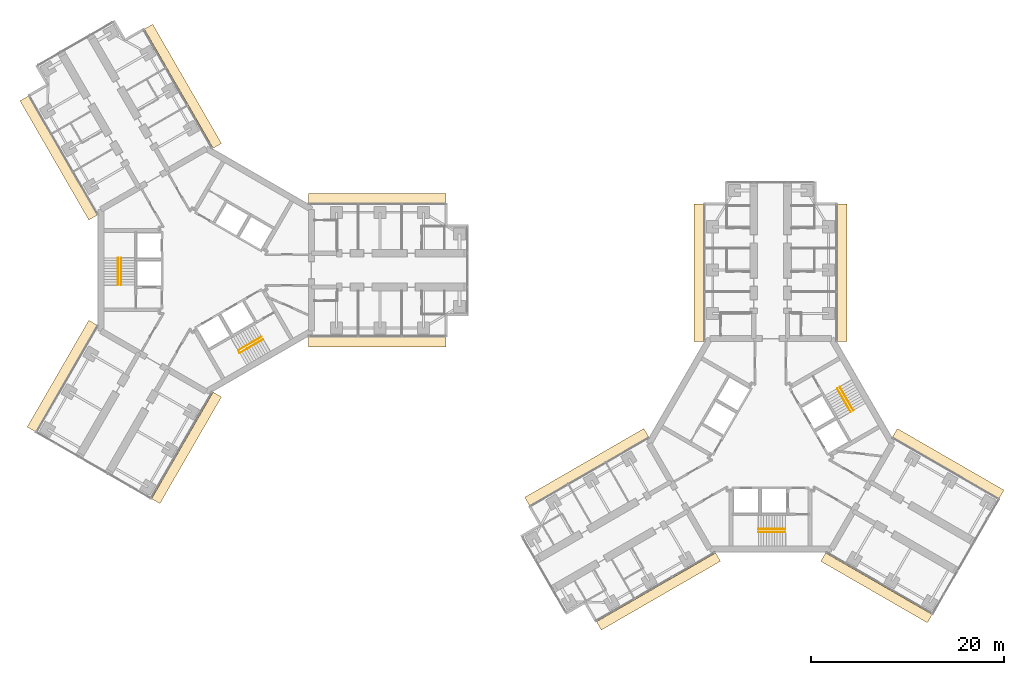
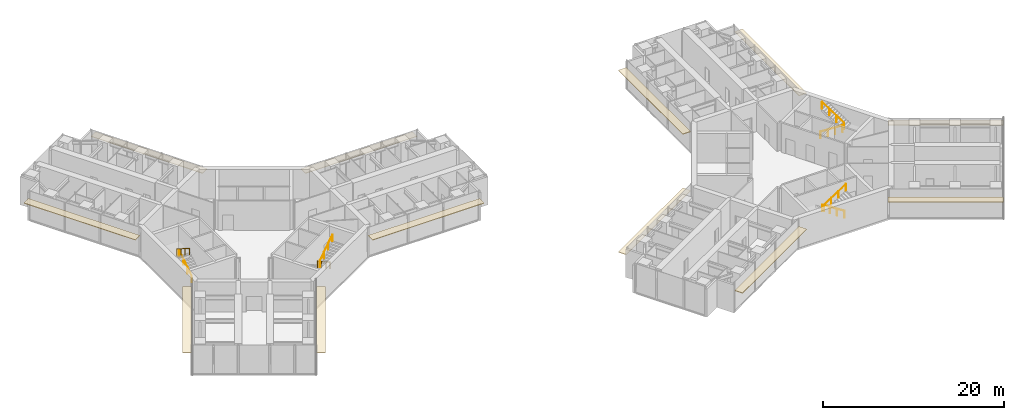
# One storey, part 23 of 23: 12 coverings, 8 railings.
"""IFC4 building model written with IfcOpenShell, lengths in metres."""

from ifc_helpers import new_model, si_unit, direction, frame, origin, origin_2d, place, context, subcontext, project, spatial, rectangle, circle, extrude, material, layer, layer_set, type_object, element, save


model = new_model("IFC4")

# Units and contexts
model_context = context("Model", 3, precision=1e-05, world=origin(), true_north=direction((0.0, 1.0)))
body_context = subcontext(model_context, "Body", "Model", "MODEL_VIEW")
ifc_project = project(units=[si_unit("LENGTHUNIT", "METRE"), si_unit("AREAUNIT", "SQUARE_METRE"), si_unit("VOLUMEUNIT", "CUBIC_METRE"), si_unit("PLANEANGLEUNIT", "RADIAN"), si_unit("MASSUNIT", "GRAM", prefix="KILO")], contexts=[model_context])

# Site, building, storey
site_placement = place(None, origin())
site = spatial("IfcSite", under=ifc_project, at=site_placement, CompositionType="ELEMENT")
building_placement = place(site_placement, origin())
building = spatial("IfcBuilding", under=site, at=building_placement, Name="Upepo Twin Towers", CompositionType="ELEMENT")
storey_placement = place(building_placement, frame((0.0, 0.0, 149.5)))
storey = spatial("IfcBuildingStorey", under=building, at=storey_placement, Name="L36", CompositionType="ELEMENT", Elevation=149.5)

# Coverings
ifc_material_1 = material(Name="Anodised aluminium, pale silver", Category="aluminium")
ifc_layer = layer(ifc_material_1, 0.080078125)
ifc_layer_set = layer_set([ifc_layer], Name="Brise-soleil blade 1000 pale aluminium")
covering_type = type_object("IfcCoveringType", Name="Brise-soleil blade 1000 pale aluminium", PredefinedType="USERDEFINED", material=ifc_layer_set)
for number, where, z_axis, x_axis, name in (
    (1, (17.718505859375, 7.43994140625, 2.909912109375), (0.0, 0.0, 1.0), (1.0, 0.0, 0.0), "T1 L36 wing A brise-soleil L"),
    (2, (17.718505859375, -7.43994140625, 2.909912109375), (0.0, 0.0, 1.0), (1.0, 0.0, 0.0), "T1 L36 wing A brise-soleil R"),
    (3, (-15.302490234375, 11.624755859375, 2.909912109375), (0.0, 0.0, 1.0), (-0.500000015115, 0.866025395058, 0.0), "T1 L36 wing B brise-soleil L"),
    (4, (-2.416015625, 19.064697265625, 2.909912109375), (0.0, 0.0, 1.0), (-0.500000015115, 0.866025395058, 0.0), "T1 L36 wing B brise-soleil R"),
):
    element("IfcCovering", number, at=place(storey_placement, frame(where, z_axis=z_axis, x_axis=x_axis)), inside=storey, type_object=covering_type, Name=name, ObjectType="SUNSHADE", PredefinedType="USERDEFINED", context=body_context, shape_type="SweptSolid", body=[
        extrude(rectangle(XDim=14.262939453125, YDim=1.0, at=origin_2d()), origin(), (0.0, 0.0, 1.0), 0.080078125),
    ])
for number, where, z_axis, x_axis, name in (
    (5, (-2.041015625, -18.415283203125, 2.909912109375), (0.0, 0.0, 1.0), (-0.500000015115, -0.866025395058, 0.0), "T1 L36 wing C brise-soleil L"),
    (6, (-14.927490234375, -10.97509765625, 2.909912109375), (0.0, 0.0, 1.0), (-0.500000015115, -0.866025395058, 0.0), "T1 L36 wing C brise-soleil R"),
):
    element("IfcCovering", number, at=place(storey_placement, frame(where, z_axis=z_axis, x_axis=x_axis)), inside=storey, type_object=covering_type, Name=name, ObjectType="SUNSHADE", PredefinedType="USERDEFINED", context=body_context, shape_type="SweptSolid", body=[
        extrude(rectangle(XDim=12.762939453125, YDim=1.0, at=origin_2d()), origin(), (0.0, 0.0, 1.0), 0.080078125),
    ])
for number, where, z_axis, x_axis, name in (
    (7, (51.06005859375, -0.281494140625, 2.909912109375), (0.0, 0.0, 1.0), (0.0, 1.0, 0.0), "T2 L36 wing A brise-soleil L"),
    (8, (65.93994140625, -0.281494140625, 2.909912109375), (0.0, 0.0, 1.0), (0.0, 1.0, 0.0), "T2 L36 wing A brise-soleil R"),
    (9, (46.875244140625, -33.302490234375, 2.909912109375), (0.0, 0.0, 1.0), (-0.866025395058, -0.500000015115, 0.0), "T2 L36 wing B brise-soleil L"),
    (10, (39.435302734375, -20.416015625, 2.909912109375), (0.0, 0.0, 1.0), (-0.866025395058, -0.500000015115, 0.0), "T2 L36 wing B brise-soleil R"),
):
    element("IfcCovering", number, at=place(storey_placement, frame(where, z_axis=z_axis, x_axis=x_axis)), inside=storey, type_object=covering_type, Name=name, ObjectType="SUNSHADE", PredefinedType="USERDEFINED", context=body_context, shape_type="SweptSolid", body=[
        extrude(rectangle(XDim=14.262939453125, YDim=1.0, at=origin_2d()), origin(), (0.0, 0.0, 1.0), 0.080078125),
    ])
for number, where, z_axis, x_axis, name in (
    (11, (76.915283203125, -20.041015625, 2.909912109375), (0.0, 0.0, 1.0), (0.866025395058, -0.500000015115, 0.0), "T2 L36 wing C brise-soleil L"),
    (12, (69.47509765625, -32.927490234375, 2.909912109375), (0.0, 0.0, 1.0), (0.866025395058, -0.500000015115, 0.0), "T2 L36 wing C brise-soleil R"),
):
    element("IfcCovering", number, at=place(storey_placement, frame(where, z_axis=z_axis, x_axis=x_axis)), inside=storey, type_object=covering_type, Name=name, ObjectType="SUNSHADE", PredefinedType="USERDEFINED", context=body_context, shape_type="SweptSolid", body=[
        extrude(rectangle(XDim=12.762939453125, YDim=1.0, at=origin_2d()), origin(), (0.0, 0.0, 1.0), 0.080078125),
    ])

# Railings
ifc_material_2 = material(Name="Stainless steel", Category="steel")
railing_type = type_object("IfcRailingType", Name="Stair handrail 900", PredefinedType="HANDRAIL", material=ifc_material_2)
railing_1_placement = place(storey_placement, frame((-8.85009765625, -1.52001953125, 0.181884765625)))
element("IfcRailing", 13, at=railing_1_placement, inside=storey, type_object=railing_type, Name="T1 stair S1 L36 handrail 1", PredefinedType="HANDRAIL", context=body_context, shape_type="SweptSolid", body=[
    extrude(circle(Radius=0.02392578125, at=origin_2d()), frame((0.0, 0.0, 0.8759765625), z_axis=(0.0, 0.838705829183, 0.544584733623), x_axis=(-1.0, 0.0, 0.0)), (0.0, 0.0, 1.0), 3.338623046875),
    extrude(circle(Radius=0.02099609375, at=origin_2d()), origin(), (0.0, 0.0, 1.0), 0.851806640625),
    extrude(circle(Radius=0.02099609375, at=origin_2d()), frame((0.0, 0.933349609375, 0.60595703125)), (0.0, 0.0, 1.0), 0.851806640625),
    extrude(circle(Radius=0.02099609375, at=origin_2d()), frame((0.0, 1.86669921875, 1.212158203125)), (0.0, 0.0, 1.0), 0.851806640625),
    extrude(circle(Radius=0.02099609375, at=origin_2d()), frame((0.0, 2.800048828125, 1.818115234375)), (0.0, 0.0, 1.0), 0.851806640625),
])
railing_2_placement = place(storey_placement, frame((-9.158447265625, 1.280029296875, 2.181884765625)))
element("IfcRailing", 14, at=railing_2_placement, inside=storey, type_object=railing_type, Name="T1 stair S1 L36 handrail 2", PredefinedType="HANDRAIL", context=body_context, shape_type="SweptSolid", body=[
    extrude(circle(Radius=0.02392578125, at=origin_2d()), frame((0.0, 0.0, 0.8759765625), z_axis=(0.0, -0.838705829183, 0.544584733623), x_axis=(1.0, 0.0, 0.0)), (0.0, 0.0, 1.0), 3.338623046875),
    extrude(circle(Radius=0.02099609375, at=origin_2d()), origin(), (0.0, 0.0, 1.0), 0.851806640625),
    extrude(circle(Radius=0.02099609375, at=origin_2d()), frame((0.0, -0.933349609375, 0.60595703125)), (0.0, 0.0, 1.0), 0.851806640625),
    extrude(circle(Radius=0.02099609375, at=origin_2d()), frame((0.0, -1.86669921875, 1.212158203125)), (0.0, 0.0, 1.0), 0.851806640625),
    extrude(circle(Radius=0.02099609375, at=origin_2d()), frame((0.0, -2.800048828125, 1.818115234375)), (0.0, 0.0, 1.0), 0.851806640625),
])
railing_3_placement = place(storey_placement, frame((5.741455078125, -6.904296875, 0.181884765625)))
element("IfcRailing", 15, at=railing_3_placement, inside=storey, type_object=railing_type, Name="T1 stair S2 L36 handrail 1", PredefinedType="HANDRAIL", context=body_context, shape_type="SweptSolid", body=[
    extrude(circle(Radius=0.02392578125, at=origin_2d()), frame((0.0, 0.0, 0.8759765625), z_axis=(-0.726348578268, -0.419370693282, 0.544560340518), x_axis=(0.500011755427, -0.866018616679, 0.0)), (0.0, 0.0, 1.0), 3.338623046875),
    extrude(circle(Radius=0.02099609375, at=origin_2d()), origin(), (0.0, 0.0, 1.0), 0.851806640625),
    extrude(circle(Radius=0.02099609375, at=origin_2d()), frame((-0.808349609375, -0.466796875, 0.60595703125)), (0.0, 0.0, 1.0), 0.851806640625),
    extrude(circle(Radius=0.02099609375, at=origin_2d()), frame((-1.61669921875, -0.933349609375, 1.212158203125)), (0.0, 0.0, 1.0), 0.851806640625),
    extrude(circle(Radius=0.02099609375, at=origin_2d()), frame((-2.425048828125, -1.400146484375, 1.818115234375)), (0.0, 0.0, 1.0), 0.851806640625),
])
railing_4_placement = place(storey_placement, frame((3.470703125, -8.5712890625, 2.181884765625)))
element("IfcRailing", 16, at=railing_4_placement, inside=storey, type_object=railing_type, Name="T1 stair S2 L36 handrail 2", PredefinedType="HANDRAIL", context=body_context, shape_type="SweptSolid", body=[
    extrude(circle(Radius=0.02392578125, at=origin_2d()), frame((0.0, 0.0, 0.8759765625), z_axis=(0.726336304947, 0.419332699614, 0.544605966869), x_axis=(-0.49998411664, 0.866034573852, 0.0)), (0.0, 0.0, 1.0), 3.33837890625),
    extrude(circle(Radius=0.02099609375, at=origin_2d()), origin(), (0.0, 0.0, 1.0), 0.851806640625),
    extrude(circle(Radius=0.02099609375, at=origin_2d()), frame((0.808349609375, 0.466552734375, 0.60595703125)), (0.0, 0.0, 1.0), 0.851806640625),
    extrude(circle(Radius=0.02099609375, at=origin_2d()), frame((1.616455078125, 0.933349609375, 1.212158203125)), (0.0, 0.0, 1.0), 0.851806640625),
    extrude(circle(Radius=0.02099609375, at=origin_2d()), frame((2.4248046875, 1.39990234375, 1.818115234375)), (0.0, 0.0, 1.0), 0.851806640625),
])
railing_5_placement = place(storey_placement, frame((60.02001953125, -26.85009765625, 0.181884765625)))
element("IfcRailing", 17, at=railing_5_placement, inside=storey, type_object=railing_type, Name="T2 stair S1 L36 handrail 1", PredefinedType="HANDRAIL", context=body_context, shape_type="SweptSolid", body=[
    extrude(circle(Radius=0.02392578125, at=origin_2d()), frame((0.0, 0.0, 0.8759765625), z_axis=(-0.838705829183, 0.0, 0.544584733623), x_axis=(0.0, -1.0, 0.0)), (0.0, 0.0, 1.0), 3.338623046875),
    extrude(circle(Radius=0.02099609375, at=origin_2d()), origin(), (0.0, 0.0, 1.0), 0.851806640625),
    extrude(circle(Radius=0.02099609375, at=origin_2d()), frame((-0.933349609375, 0.0, 0.60595703125)), (0.0, 0.0, 1.0), 0.851806640625),
    extrude(circle(Radius=0.02099609375, at=origin_2d()), frame((-1.86669921875, 0.0, 1.212158203125)), (0.0, 0.0, 1.0), 0.851806640625),
    extrude(circle(Radius=0.02099609375, at=origin_2d()), frame((-2.800048828125, 0.0, 1.818115234375)), (0.0, 0.0, 1.0), 0.851806640625),
])
railing_6_placement = place(storey_placement, frame((57.219970703125, -27.158447265625, 2.181884765625)))
element("IfcRailing", 18, at=railing_6_placement, inside=storey, type_object=railing_type, Name="T2 stair S1 L36 handrail 2", PredefinedType="HANDRAIL", context=body_context, shape_type="SweptSolid", body=[
    extrude(circle(Radius=0.02392578125, at=origin_2d()), frame((0.0, 0.0, 0.8759765625), z_axis=(0.838705829183, 0.0, 0.544584733623), x_axis=(0.0, 1.0, 0.0)), (0.0, 0.0, 1.0), 3.338623046875),
    extrude(circle(Radius=0.02099609375, at=origin_2d()), origin(), (0.0, 0.0, 1.0), 0.851806640625),
    extrude(circle(Radius=0.02099609375, at=origin_2d()), frame((0.933349609375, 0.0, 0.60595703125)), (0.0, 0.0, 1.0), 0.851806640625),
    extrude(circle(Radius=0.02099609375, at=origin_2d()), frame((1.86669921875, 0.0, 1.212158203125)), (0.0, 0.0, 1.0), 0.851806640625),
    extrude(circle(Radius=0.02099609375, at=origin_2d()), frame((2.800048828125, 0.0, 1.818115234375)), (0.0, 0.0, 1.0), 0.851806640625),
])
railing_7_placement = place(storey_placement, frame((65.404296875, -12.258544921875, 0.181884765625)))
element("IfcRailing", 19, at=railing_7_placement, inside=storey, type_object=railing_type, Name="T2 stair S2 L36 handrail 1", PredefinedType="HANDRAIL", context=body_context, shape_type="SweptSolid", body=[
    extrude(circle(Radius=0.02392578125, at=origin_2d()), frame((0.0, 0.0, 0.8759765625), z_axis=(0.419370693282, -0.726348578268, 0.544560340518), x_axis=(0.866018616679, 0.500011755427, 0.0)), (0.0, 0.0, 1.0), 3.338623046875),
    extrude(circle(Radius=0.02099609375, at=origin_2d()), origin(), (0.0, 0.0, 1.0), 0.851806640625),
    extrude(circle(Radius=0.02099609375, at=origin_2d()), frame((0.466796875, -0.808349609375, 0.60595703125)), (0.0, 0.0, 1.0), 0.851806640625),
    extrude(circle(Radius=0.02099609375, at=origin_2d()), frame((0.933349609375, -1.61669921875, 1.212158203125)), (0.0, 0.0, 1.0), 0.851806640625),
    extrude(circle(Radius=0.02099609375, at=origin_2d()), frame((1.400146484375, -2.425048828125, 1.818115234375)), (0.0, 0.0, 1.0), 0.851806640625),
])
railing_8_placement = place(storey_placement, frame((67.0712890625, -14.529296875, 2.181884765625)))
element("IfcRailing", 20, at=railing_8_placement, inside=storey, type_object=railing_type, Name="T2 stair S2 L36 handrail 2", PredefinedType="HANDRAIL", context=body_context, shape_type="SweptSolid", body=[
    extrude(circle(Radius=0.02392578125, at=origin_2d()), frame((0.0, 0.0, 0.8759765625), z_axis=(-0.419332699614, 0.726336304947, 0.544605966869), x_axis=(-0.866034573852, -0.49998411664, 0.0)), (0.0, 0.0, 1.0), 3.33837890625),
    extrude(circle(Radius=0.02099609375, at=origin_2d()), origin(), (0.0, 0.0, 1.0), 0.851806640625),
    extrude(circle(Radius=0.02099609375, at=origin_2d()), frame((-0.466552734375, 0.808349609375, 0.60595703125)), (0.0, 0.0, 1.0), 0.851806640625),
    extrude(circle(Radius=0.02099609375, at=origin_2d()), frame((-0.933349609375, 1.616455078125, 1.212158203125)), (0.0, 0.0, 1.0), 0.851806640625),
    extrude(circle(Radius=0.02099609375, at=origin_2d()), frame((-1.39990234375, 2.4248046875, 1.818115234375)), (0.0, 0.0, 1.0), 0.851806640625),
])

save(model, "model.ifc")
